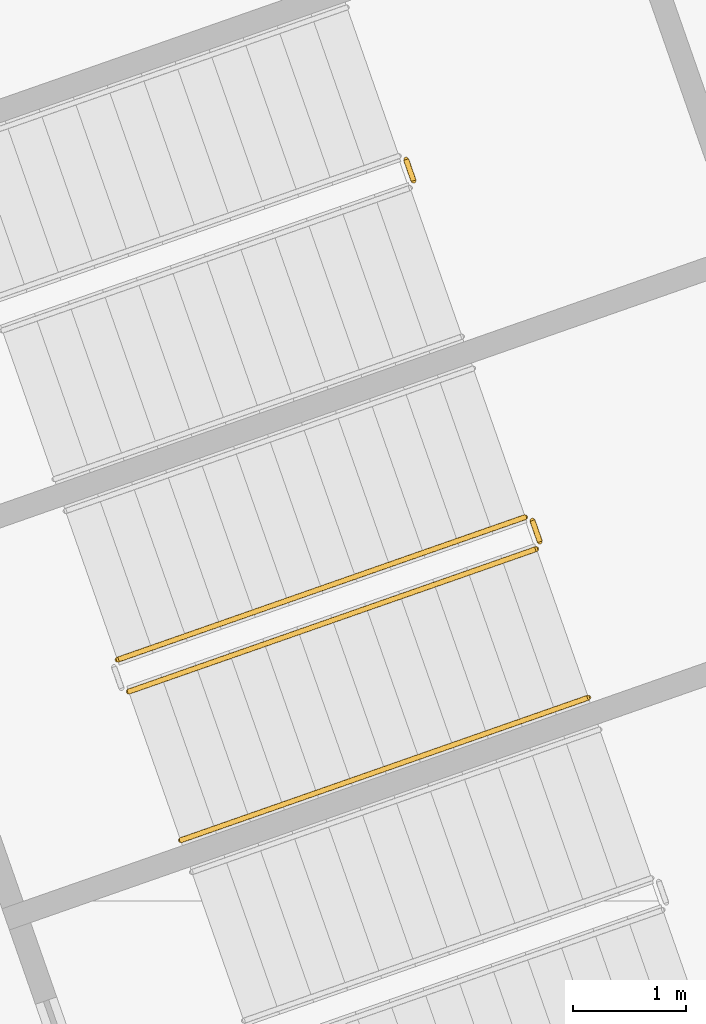
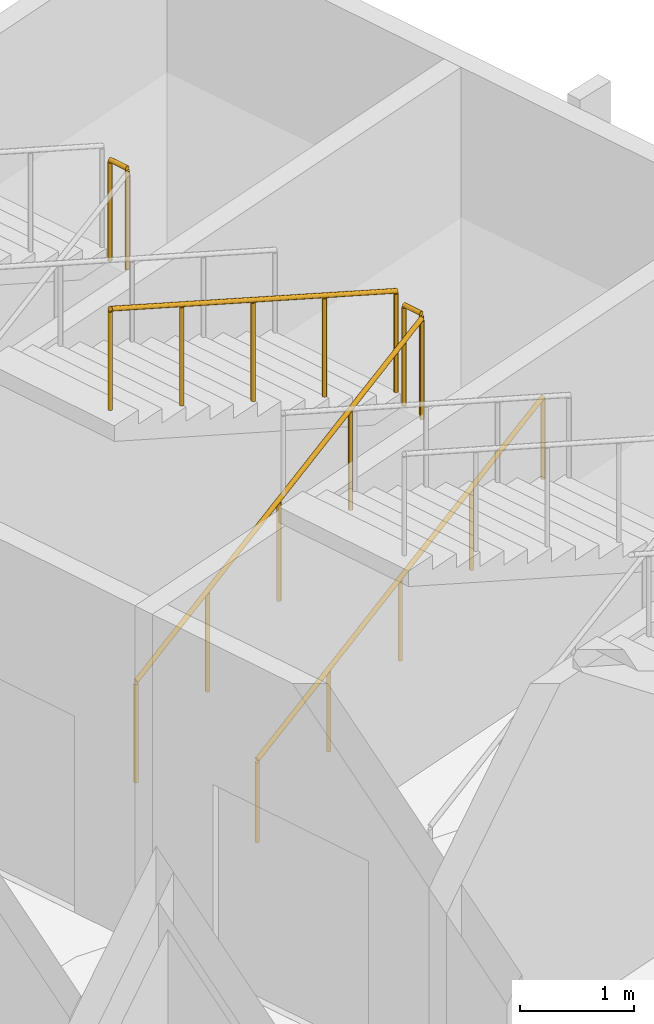
# One storey, part 137 of 142: 5 railings.
"""IFC4 building model written with IfcOpenShell, lengths in metres."""

from ifc_helpers import new_model, si_unit, direction, frame, origin, origin_2d, place, context, subcontext, project, spatial, circle, extrude, material, type_object, element, save


model = new_model("IFC4")

# Units and contexts
model_context = context("Model", 3, precision=1e-05, world=origin(), true_north=direction((0.0, 1.0)))
body_context = subcontext(model_context, "Body", "Model", "MODEL_VIEW")
ifc_project = project(units=[si_unit("LENGTHUNIT", "METRE"), si_unit("AREAUNIT", "SQUARE_METRE"), si_unit("VOLUMEUNIT", "CUBIC_METRE"), si_unit("PLANEANGLEUNIT", "RADIAN"), si_unit("MASSUNIT", "GRAM", prefix="KILO")], contexts=[model_context])

# Site, building, storey
site_placement = place(None, origin())
site = spatial("IfcSite", under=ifc_project, at=site_placement, CompositionType="ELEMENT")
building_placement = place(site_placement, origin())
building = spatial("IfcBuilding", under=site, at=building_placement, Name="Meseta Stadium", CompositionType="ELEMENT")
storey_placement = place(building_placement, frame((0.0, 0.0, -4.0)))
storey = spatial("IfcBuildingStorey", under=building, at=storey_placement, Name="B1", CompositionType="ELEMENT", Elevation=-4.0)

# Railings
ifc_material_1 = material(Name="Steel S355", Category="steel")
railing_type_1 = type_object("IfcRailingType", Name="Stair guard 1100", PredefinedType="GUARDRAIL", material=ifc_material_1)
railing_1_placement = place(storey_placement, frame((86.641357421875, 65.86328125, 0.15380859375)))
element("IfcRailing", 1, at=railing_1_placement, inside=storey, type_object=railing_type_1, Name="ST23 B1 guard 1", PredefinedType="GUARDRAIL", context=body_context, shape_type="SweptSolid", body=[
    extrude(circle(Radius=0.02392578125, at=origin_2d()), frame((0.0, 0.0, 1.076171875), z_axis=(0.850686066833, 0.297619791939, 0.433307829543), x_axis=(-0.330231476208, 0.943899979935, 0.0)), (0.0, 0.0, 1.0), 4.2607421875),
    extrude(circle(Radius=0.02099609375, at=origin_2d()), origin(), (0.0, 0.0, 1.0), 1.052001953125),
    extrude(circle(Radius=0.02099609375, at=origin_2d()), frame((0.90625, 0.31689453125, 0.46142578125)), (0.0, 0.0, 1.0), 1.052001953125),
    extrude(circle(Radius=0.02099609375, at=origin_2d()), frame((1.812255859375, 0.634033203125, 0.923095703125)), (0.0, 0.0, 1.0), 1.052001953125),
    extrude(circle(Radius=0.02099609375, at=origin_2d()), frame((2.71826171875, 0.951171875, 1.384765625)), (0.0, 0.0, 1.0), 1.052001953125),
    extrude(circle(Radius=0.02099609375, at=origin_2d()), frame((3.62451171875, 1.26806640625, 1.84619140625)), (0.0, 0.0, 1.0), 1.052001953125),
])
railing_2_placement = place(storey_placement, frame((90.296630859375, 67.195068359375, 2.0)))
element("IfcRailing", 2, at=railing_2_placement, inside=storey, type_object=railing_type_1, Name="ST23 B1 guard 2", PredefinedType="GUARDRAIL", context=body_context, shape_type="SweptSolid", body=[
    extrude(circle(Radius=0.02392578125, at=origin_2d()), frame((0.0, 0.0, 1.076171875), z_axis=(-0.330459055601, 0.943820328543, 0.0), x_axis=(-0.943820328543, -0.330459055601, 0.0)), (0.0, 0.0, 1.0), 0.2001953125),
    extrude(circle(Radius=0.02099609375, at=origin_2d()), origin(), (0.0, 0.0, 1.0), 1.052001953125),
    extrude(circle(Radius=0.02099609375, at=origin_2d()), frame((-0.066162109375, 0.18896484375, 0.0)), (0.0, 0.0, 1.0), 1.052001953125),
])
railing_3_placement = place(storey_placement, frame((90.166748046875, 67.41455078125, 2.15380859375)))
element("IfcRailing", 3, at=railing_3_placement, inside=storey, type_object=railing_type_1, Name="ST23 B1 guard 3", PredefinedType="GUARDRAIL", context=body_context, shape_type="SweptSolid", body=[
    extrude(circle(Radius=0.02392578125, at=origin_2d()), frame((0.0, 0.0, 1.076171875), z_axis=(-0.85067155836, -0.29767201574, 0.433300439467), x_axis=(0.330288120323, -0.9438801606, 0.0)), (0.0, 0.0, 1.0), 4.2607421875),
    extrude(circle(Radius=0.02099609375, at=origin_2d()), origin(), (0.0, 0.0, 1.0), 1.052001953125),
    extrude(circle(Radius=0.02099609375, at=origin_2d()), frame((-0.90625, -0.317138671875, 0.46142578125)), (0.0, 0.0, 1.0), 1.052001953125),
    extrude(circle(Radius=0.02099609375, at=origin_2d()), frame((-1.812255859375, -0.63427734375, 0.923095703125)), (0.0, 0.0, 1.0), 1.052001953125),
    extrude(circle(Radius=0.02099609375, at=origin_2d()), frame((-2.71826171875, -0.951171875, 1.384765625)), (0.0, 0.0, 1.0), 1.052001953125),
    extrude(circle(Radius=0.02099609375, at=origin_2d()), frame((-3.62451171875, -1.268310546875, 1.84619140625)), (0.0, 0.0, 1.0), 1.052001953125),
])
railing_4_placement = place(storey_placement, frame((89.173583984375, 70.404296875, 2.0)))
element("IfcRailing", 4, at=railing_4_placement, inside=storey, type_object=railing_type_1, Name="ST24 B1 guard 2", PredefinedType="GUARDRAIL", context=body_context, shape_type="SweptSolid", body=[
    extrude(circle(Radius=0.02392578125, at=origin_2d()), frame((0.0, 0.0, 1.076171875), z_axis=(-0.329372156318, 0.944200181446, 0.0), x_axis=(-0.944200181446, -0.329372156318, 0.0)), (0.0, 0.0, 1.0), 0.2001953125),
    extrude(circle(Radius=0.02099609375, at=origin_2d()), origin(), (0.0, 0.0, 1.0), 1.052001953125),
    extrude(circle(Radius=0.02099609375, at=origin_2d()), frame((-0.06591796875, 0.18896484375, 0.0)), (0.0, 0.0, 1.0), 1.052001953125),
])
ifc_material_2 = material(Name="Steel S355", Category="steel")
railing_type_2 = type_object("IfcRailingType", Name="Stair handrail 900", PredefinedType="HANDRAIL", material=ifc_material_2)
railing_5_placement = place(storey_placement, frame((87.103759765625, 64.541748046875, 0.15380859375)))
element("IfcRailing", 5, at=railing_5_placement, inside=storey, type_object=railing_type_2, Name="ST23 B1 handrail 1", PredefinedType="HANDRAIL", context=body_context, shape_type="SweptSolid", body=[
    extrude(circle(Radius=0.02392578125, at=origin_2d()), frame((0.0, 0.0, 0.8759765625), z_axis=(0.85067155836, 0.29767201574, 0.433300439467), x_axis=(-0.330288120323, 0.9438801606, 0.0)), (0.0, 0.0, 1.0), 4.2607421875),
    extrude(circle(Radius=0.02099609375, at=origin_2d()), origin(), (0.0, 0.0, 1.0), 0.851806640625),
    extrude(circle(Radius=0.02099609375, at=origin_2d()), frame((0.90625, 0.317138671875, 0.46142578125)), (0.0, 0.0, 1.0), 0.851806640625),
    extrude(circle(Radius=0.02099609375, at=origin_2d()), frame((1.812255859375, 0.63427734375, 0.923095703125)), (0.0, 0.0, 1.0), 0.851806640625),
    extrude(circle(Radius=0.02099609375, at=origin_2d()), frame((2.71826171875, 0.951171875, 1.384765625)), (0.0, 0.0, 1.0), 0.851806640625),
    extrude(circle(Radius=0.02099609375, at=origin_2d()), frame((3.62451171875, 1.268310546875, 1.84619140625)), (0.0, 0.0, 1.0), 0.851806640625),
])

save(model, "model.ifc")
